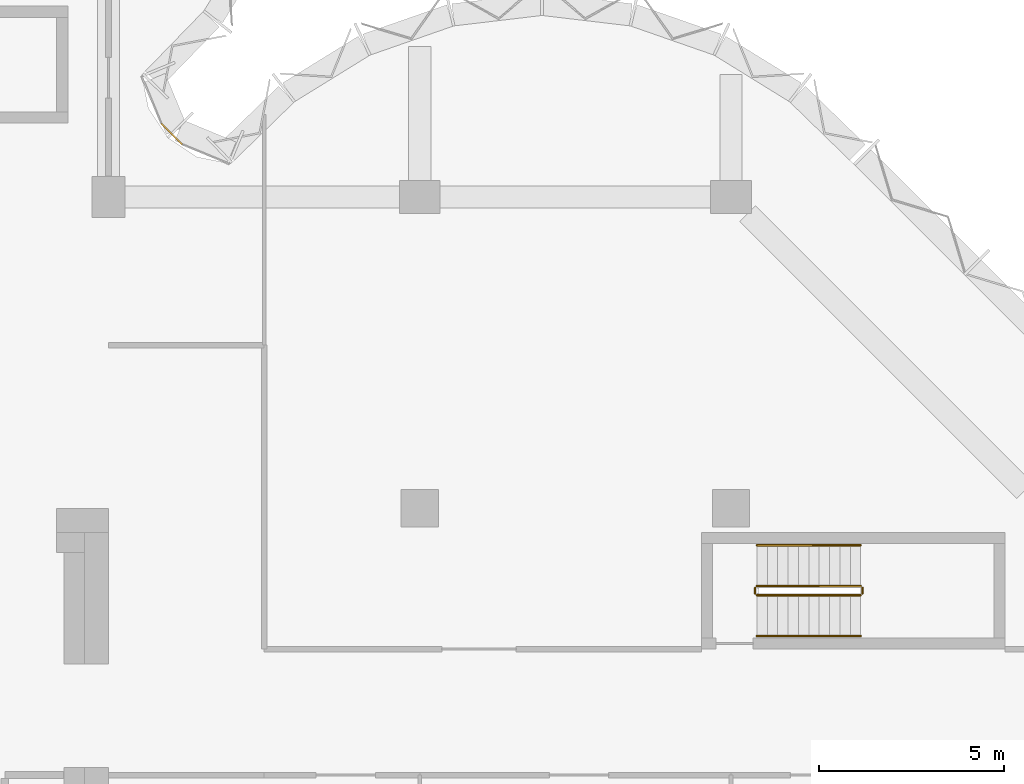
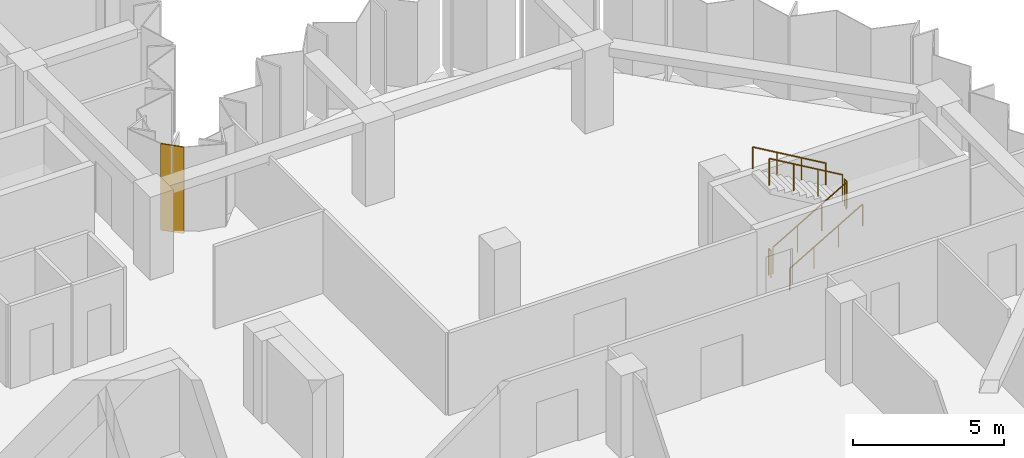
# One storey, part 9 of 9: 6 railings, 1 covering, 1 element without a shape of its own.
"""IFC4 building model written with IfcOpenShell, lengths in metres."""

import ifcopenshell
import ifcopenshell.guid

model = None  # the IFC model being written
_history = None  # IfcOwnerHistory: only IFC2X3 demands one
_inside = {}  # id of a spatial element -> (the spatial element, [elements in it])
_under = {}  # id of a project, library or spatial element -> (it, [spatial elements below it])
_declared = {}  # id of a project -> (the project, [libraries it declares])
_typed = {}  # id of a type object -> (the type object, [elements of that type])
_made_of = {}  # id of a material, layer set ... -> (it, [elements and type objects made of it])


def new_model(schema):
    """Start an empty IFC model of exactly this schema.

    Asked for "IFC4X3", IfcOpenShell would pick the latest addendum, in which some entities
    have other attributes; the version numbers below select the first issue.
    IFC2X3 requires an IfcOwnerHistory on every rooted entity: one is made here for all.
    """
    global model, _history
    if schema == "IFC4X3":
        model = ifcopenshell.file(schema_version=(4, 3, 0, 0))
    else:
        model = ifcopenshell.file(schema=schema)
    _inside.clear()
    _under.clear()
    _declared.clear()
    _typed.clear()
    _made_of.clear()
    _history = None
    if model.schema == "IFC2X3":
        org = make("IfcOrganization", Name="unknown")
        user = make(
            "IfcPersonAndOrganization",
            ThePerson=make("IfcPerson", FamilyName="unknown"),
            TheOrganization=org,
        )
        app = make(
            "IfcApplication",
            ApplicationDeveloper=org,
            Version="unknown",
            ApplicationFullName="unknown",
            ApplicationIdentifier="unknown",
        )
        _history = make(
            "IfcOwnerHistory",
            OwningUser=user,
            OwningApplication=app,
            ChangeAction="ADDED",
            CreationDate=0,
        )
    return model


def make(cls, **values):
    """One entity of the class cls with the attributes given. An attribute that is None is left unset."""
    return model.create_entity(
        cls, **{name: value for name, value in values.items() if value is not None}
    )


def rooted(cls, **values):
    """An entity with a GlobalId (a new one), such as an element, a storey or a relation."""
    return make(cls, GlobalId=ifcopenshell.guid.new(), OwnerHistory=_history, **values)


def si_unit(unit_type, name, prefix=None):
    """IfcSIUnit, for example si_unit("LENGTHUNIT", "METRE", prefix="MILLI")."""
    return make("IfcSIUnit", UnitType=unit_type, Prefix=prefix, Name=name)


def assignment(units):
    """IfcUnitAssignment: the units of a project."""
    return None if units is None else make("IfcUnitAssignment", Units=units)


def point(xyz):
    """IfcCartesianPoint."""
    return None if xyz is None else make("IfcCartesianPoint", Coordinates=xyz)


def direction(xyz):
    """IfcDirection."""
    return None if xyz is None else make("IfcDirection", DirectionRatios=xyz)


def frame(location, z_axis=None, x_axis=None):
    """IfcAxis2Placement3D, a coordinate frame: its origin and axes. An axis left out is left unset."""
    return make(
        "IfcAxis2Placement3D",
        Location=point(location),
        Axis=direction(z_axis),
        RefDirection=direction(x_axis),
    )


def frame_2d(location, x_axis=None):
    """IfcAxis2Placement2D, a coordinate frame in the plane: its origin and x axis."""
    return make(
        "IfcAxis2Placement2D", Location=point(location), RefDirection=direction(x_axis)
    )


def origin():
    """The frame at (0, 0, 0) with its axes left unset."""
    return frame((0.0, 0.0, 0.0))


def origin_2d():
    """The frame at (0, 0) in the plane with its x axis left unset."""
    return frame_2d((0.0, 0.0))


def place(relative_to, where):
    """IfcLocalPlacement: puts the frame where relative to a parent placement (None: the world)."""
    return make(
        "IfcLocalPlacement", PlacementRelTo=relative_to, RelativePlacement=where
    )


def context(
    kind, dimensions, precision=None, world=None, true_north=None, identifier=None
):
    """IfcGeometricRepresentationContext, for example the 3D "Model" context."""
    return make(
        "IfcGeometricRepresentationContext",
        ContextIdentifier=identifier,
        ContextType=kind,
        CoordinateSpaceDimension=dimensions,
        Precision=precision,
        WorldCoordinateSystem=world,
        TrueNorth=true_north,
    )


def subcontext(parent, identifier, kind, view, scale=None):
    """IfcGeometricRepresentationSubContext, for example "Body" below "Model"."""
    return make(
        "IfcGeometricRepresentationSubContext",
        ContextIdentifier=identifier,
        ContextType=kind,
        ParentContext=parent,
        TargetScale=scale,
        TargetView=view,
    )


def project(units=None, contexts=None):
    """IfcProject with its units and contexts."""
    return rooted(
        "IfcProject",
        Name="project",
        RepresentationContexts=contexts,
        UnitsInContext=assignment(units),
    )


def spatial(cls, under=None, at=None, **own):
    """A site, building, storey or space (cls), placed at a placement, below another one or the project."""
    s = rooted(cls, ObjectPlacement=at, **own)
    if under is not None:
        _under.setdefault(under.id(), (under, []))[1].append(s)
    return s


def polyline(points):
    """IfcPolyline through the points."""
    return make("IfcPolyline", Points=[point(p) for p in points])


def profile(cls, at=None, kind="AREA", **sizes):
    """A parametric profile (cls). Its sizes go by their IFC names, for example OverallWidth=200.0."""
    return make(cls, ProfileType=kind, Position=at, **sizes)


def circle(**sizes):
    """IfcCircleProfileDef."""
    return profile("IfcCircleProfileDef", **sizes)


def outline(outer, holes=None, kind="AREA"):
    """IfcArbitraryClosedProfileDef: a profile drawn as a closed curve; with holes, ...WithVoids."""
    if holes is None:
        return make("IfcArbitraryClosedProfileDef", ProfileType=kind, OuterCurve=outer)
    return make(
        "IfcArbitraryProfileDefWithVoids",
        ProfileType=kind,
        OuterCurve=outer,
        InnerCurves=holes,
    )


def extrude(swept, where, along, depth):
    """IfcExtrudedAreaSolid: the profile swept, set in the frame where, extruded along a direction by depth."""
    return make(
        "IfcExtrudedAreaSolid",
        SweptArea=swept,
        Position=where,
        ExtrudedDirection=direction(along),
        Depth=depth,
    )


def shape(context_of_items, identifier, shape_type, items):
    """IfcShapeRepresentation: the items that make up one representation, for example the "Body"."""
    return make(
        "IfcShapeRepresentation",
        ContextOfItems=context_of_items,
        RepresentationIdentifier=identifier,
        RepresentationType=shape_type,
        Items=items,
    )


def material(Name=None, Category=None):
    """IfcMaterial."""
    return make("IfcMaterial", Name=Name, Category=Category)


def layer(
    of_material, thickness, ventilated=None, Name=None, Category=None, Priority=None
):
    """IfcMaterialLayer: one layer of a wall or slab, of a material (None: an air gap)."""
    return make(
        "IfcMaterialLayer",
        Material=of_material,
        LayerThickness=thickness,
        IsVentilated=ventilated,
        Name=Name,
        Category=Category,
        Priority=Priority,
    )


def layer_set(layers, Name=None):
    """IfcMaterialLayerSet."""
    return make("IfcMaterialLayerSet", MaterialLayers=layers, LayerSetName=Name)


def made_of(thing, what):
    """Note that an element or type object is made of a material, layer set ...; save() writes the relation."""
    if what is not None:
        _made_of.setdefault(what.id(), (what, []))[1].append(thing)
    return thing


def type_object(cls, material=None, **own):
    """A type object (cls), such as IfcWallType, which elements share."""
    return made_of(rooted(cls, **own), material)


def element(
    cls,
    number,
    at=None,
    inside=None,
    cuts=None,
    type_object=None,
    material=None,
    context=None,
    identifier="Body",
    shape_type=None,
    held_by="IfcProductDefinitionShape",
    body=None,
    shapes=None,
    **own,
):
    """One element of the class cls, such as IfcWall. Its Tag is "e" and its number.

    at: its placement. inside: the storey or other place that contains it. cuts: it is an
    opening in that element (IfcRelVoidsElement). A single representation is given by context,
    identifier, shape_type and body (its items); several are given by shapes. held_by: the class
    of the entity that holds the representations. save() writes the other relations.
    """
    e = rooted(cls, Tag="e%d" % number, ObjectPlacement=at, **own)
    if body is not None:
        shapes = [shape(context, identifier, shape_type, body)]
    if shapes is not None:
        e.Representation = make(held_by, Representations=shapes)
    if inside is not None:
        _inside.setdefault(inside.id(), (inside, []))[1].append(e)
    if cuts is not None:
        rooted(
            "IfcRelVoidsElement", RelatingBuildingElement=cuts, RelatedOpeningElement=e
        )
    if type_object is not None:
        _typed.setdefault(type_object.id(), (type_object, []))[1].append(e)
    return made_of(e, material)


def aggregate(whole, parts):
    """IfcRelAggregates: a whole, such as a stair, and the parts it consists of."""
    return rooted("IfcRelAggregates", RelatingObject=whole, RelatedObjects=parts)


def save(model, path):
    """Write the relations noted so far, then the file.

    IfcRelAggregates (storeys below a building ...), IfcRelContainedInSpatialStructure (elements
    in a storey), IfcRelDefinesByType, IfcRelAssociatesMaterial and IfcRelDeclares: one each for
    every whole, place, type object, material and project.
    """
    for whole, parts in _under.values():
        aggregate(whole, parts)
    for where, things in _inside.values():
        rooted(
            "IfcRelContainedInSpatialStructure",
            RelatedElements=things,
            RelatingStructure=where,
        )
    for kind, things in _typed.values():
        rooted("IfcRelDefinesByType", RelatedObjects=things, RelatingType=kind)
    for what, things in _made_of.values():
        rooted("IfcRelAssociatesMaterial", RelatedObjects=things, RelatingMaterial=what)
    for by, libraries in _declared.values():
        rooted("IfcRelDeclares", RelatingContext=by, RelatedDefinitions=libraries)
    model.write(path)


model = new_model("IFC4")

# Units and contexts
model_context = context("Model", 3, precision=1e-05, world=origin(), true_north=direction((0.0, 1.0)))
body_context = subcontext(model_context, "Body", "Model", "MODEL_VIEW")
ifc_project = project(units=[si_unit("LENGTHUNIT", "METRE"), si_unit("AREAUNIT", "SQUARE_METRE"), si_unit("VOLUMEUNIT", "CUBIC_METRE"), si_unit("PLANEANGLEUNIT", "RADIAN"), si_unit("MASSUNIT", "GRAM", prefix="KILO")], contexts=[model_context])

# Site, building, storey
site_placement = place(None, origin())
site = spatial("IfcSite", under=ifc_project, at=site_placement, CompositionType="ELEMENT")
building_placement = place(site_placement, origin())
building = spatial("IfcBuilding", under=site, at=building_placement, Name="Brevane Broadcast Tower", CompositionType="ELEMENT")
storey_placement = place(building_placement, frame((0.0, 0.0, 192.0)))
storey = spatial("IfcBuildingStorey", under=building, at=storey_placement, Name="L48", CompositionType="ELEMENT", Elevation=192.0)

# Railings
ifc_material_1 = material(Name="Steel S355", Category="steel")
railing_type_1 = type_object("IfcRailingType", Name="Exit stair guard", PredefinedType="GUARDRAIL", material=ifc_material_1)
railing_1_placement = place(storey_placement, frame((42.699951171875, 14.449951171875, 0.16357421875)))
element("IfcRailing", 1, at=railing_1_placement, inside=storey, type_object=railing_type_1, Name="L48 ST-4 stair guard 1", PredefinedType="GUARDRAIL", context=body_context, shape_type="SweptSolid", body=[
    extrude(circle(Radius=0.02392578125, at=origin_2d()), frame((0.0, 0.0, 1.076171875), z_axis=(0.863360870873, 0.0, 0.504586966384), x_axis=(0.0, 1.0, 0.0)), (0.0, 0.0, 1.0), 3.2431640625),
    extrude(circle(Radius=0.02099609375, at=origin_2d()), origin(), (0.0, 0.0, 1.0), 1.052001953125),
    extrude(circle(Radius=0.02099609375, at=origin_2d()), frame((0.933349609375, 0.0, 0.54541015625)), (0.0, 0.0, 1.0), 1.052001953125),
    extrude(circle(Radius=0.02099609375, at=origin_2d()), frame((1.86669921875, 0.0, 1.091064453125)), (0.0, 0.0, 1.0), 1.052001953125),
    extrude(circle(Radius=0.02099609375, at=origin_2d()), frame((2.800048828125, 0.0, 1.636474609375)), (0.0, 0.0, 1.0), 1.052001953125),
])
railing_2_placement = place(storey_placement, frame((45.550048828125, 14.5, 1.800048828125)))
element("IfcRailing", 2, at=railing_2_placement, inside=storey, type_object=railing_type_1, Name="L48 ST-4 stair guard 2", PredefinedType="GUARDRAIL", context=body_context, shape_type="SweptSolid", body=[
    extrude(circle(Radius=0.02392578125, at=origin_2d()), frame((0.0, 0.0, 1.076171875), z_axis=(0.0, 1.0, 0.0), x_axis=(-1.0, 0.0, 0.0)), (0.0, 0.0, 1.0), 0.14990234375),
    extrude(circle(Radius=0.02099609375, at=origin_2d()), origin(), (0.0, 0.0, 1.0), 1.052001953125),
    extrude(circle(Radius=0.02099609375, at=origin_2d()), frame((0.0, 0.14990234375, 0.0)), (0.0, 0.0, 1.0), 1.052001953125),
])
railing_3_placement = place(storey_placement, frame((45.5, 14.699951171875, 1.963623046875)))
element("IfcRailing", 3, at=railing_3_placement, inside=storey, type_object=railing_type_1, Name="L48 ST-4 stair guard 3", PredefinedType="GUARDRAIL", context=body_context, shape_type="SweptSolid", body=[
    extrude(circle(Radius=0.02392578125, at=origin_2d()), frame((0.0, 0.0, 1.076171875), z_axis=(-0.863360870873, 0.0, 0.504586966384), x_axis=(0.0, -1.0, 0.0)), (0.0, 0.0, 1.0), 3.2431640625),
    extrude(circle(Radius=0.02099609375, at=origin_2d()), origin(), (0.0, 0.0, 1.0), 1.052001953125),
    extrude(circle(Radius=0.02099609375, at=origin_2d()), frame((-0.933349609375, 0.0, 0.54541015625)), (0.0, 0.0, 1.0), 1.052001953125),
    extrude(circle(Radius=0.02099609375, at=origin_2d()), frame((-1.86669921875, 0.0, 1.091064453125)), (0.0, 0.0, 1.0), 1.052001953125),
    extrude(circle(Radius=0.02099609375, at=origin_2d()), frame((-2.800048828125, 0.0, 1.636474609375)), (0.0, 0.0, 1.0), 1.052001953125),
])
railing_4_placement = place(storey_placement, frame((42.64990234375, 14.5, 0.0)))
element("IfcRailing", 4, at=railing_4_placement, inside=storey, type_object=railing_type_1, Name="L48 ST-4 stair guard 4", PredefinedType="GUARDRAIL", context=body_context, shape_type="SweptSolid", body=[
    extrude(circle(Radius=0.02392578125, at=origin_2d()), frame((0.0, 0.0, 1.076171875), z_axis=(0.0, 1.0, 0.0), x_axis=(-1.0, 0.0, 0.0)), (0.0, 0.0, 1.0), 0.14990234375),
    extrude(circle(Radius=0.02099609375, at=origin_2d()), origin(), (0.0, 0.0, 1.0), 1.052001953125),
    extrude(circle(Radius=0.02099609375, at=origin_2d()), frame((0.0, 0.14990234375, 0.0)), (0.0, 0.0, 1.0), 1.052001953125),
])
railing_type_2 = type_object("IfcRailingType", Name="Exit stair handrail", PredefinedType="HANDRAIL", material=ifc_material_1)
railing_5_placement = place(storey_placement, frame((42.699951171875, 13.35009765625, 0.16357421875)))
element("IfcRailing", 5, at=railing_5_placement, inside=storey, type_object=railing_type_2, Name="L48 ST-4 stair handrail 1", PredefinedType="HANDRAIL", context=body_context, shape_type="SweptSolid", body=[
    extrude(circle(Radius=0.02392578125, at=origin_2d()), frame((0.0, 0.0, 0.8759765625), z_axis=(0.863360870873, 0.0, 0.504586966384), x_axis=(0.0, 1.0, 0.0)), (0.0, 0.0, 1.0), 3.2431640625),
    extrude(circle(Radius=0.02099609375, at=origin_2d()), origin(), (0.0, 0.0, 1.0), 0.851806640625),
    extrude(circle(Radius=0.02099609375, at=origin_2d()), frame((0.933349609375, 0.0, 0.54541015625)), (0.0, 0.0, 1.0), 0.851806640625),
    extrude(circle(Radius=0.02099609375, at=origin_2d()), frame((1.86669921875, 0.0, 1.091064453125)), (0.0, 0.0, 1.0), 0.851806640625),
    extrude(circle(Radius=0.02099609375, at=origin_2d()), frame((2.800048828125, 0.0, 1.636474609375)), (0.0, 0.0, 1.0), 0.851806640625),
])
railing_6_placement = place(storey_placement, frame((45.5, 15.800048828125, 1.963623046875)))
element("IfcRailing", 6, at=railing_6_placement, inside=storey, type_object=railing_type_2, Name="L48 ST-4 stair handrail 2", PredefinedType="HANDRAIL", context=body_context, shape_type="SweptSolid", body=[
    extrude(circle(Radius=0.02392578125, at=origin_2d()), frame((0.0, 0.0, 0.8759765625), z_axis=(-0.863360870873, 0.0, 0.504586966384), x_axis=(0.0, -1.0, 0.0)), (0.0, 0.0, 1.0), 3.2431640625),
    extrude(circle(Radius=0.02099609375, at=origin_2d()), origin(), (0.0, 0.0, 1.0), 0.851806640625),
    extrude(circle(Radius=0.02099609375, at=origin_2d()), frame((-0.933349609375, 0.0, 0.54541015625)), (0.0, 0.0, 1.0), 0.851806640625),
    extrude(circle(Radius=0.02099609375, at=origin_2d()), frame((-1.86669921875, 0.0, 1.091064453125)), (0.0, 0.0, 1.0), 0.851806640625),
    extrude(circle(Radius=0.02099609375, at=origin_2d()), frame((-2.800048828125, 0.0, 1.636474609375)), (0.0, 0.0, 1.0), 0.851806640625),
])

# Curtain wall, covering
ifc_material_2 = material(Name="Aluminium 6063-T6 bronze anodised", Category="aluminium")
curtain_wall_type = type_object("IfcCurtainWallType", Name="CW-1 curtain wall", PredefinedType="NOTDEFINED", material=ifc_material_2)
curtain_wall_placement = place(storey_placement, origin())
curtain_wall = element("IfcCurtainWall", 7, at=curtain_wall_placement, inside=storey, type_object=curtain_wall_type, Name="CW-1 typical tilted unit L48 inner corner", PredefinedType="NOTDEFINED")
ifc_material_3 = material(Name="Back-painted bronze glass shadow-box", Category="glass")
ifc_layer = layer(ifc_material_3, 0.0400390625)
ifc_layer_set = layer_set([ifc_layer], Name="Shadow-box panel 40")
covering_type = type_object("IfcCoveringType", Name="Shadow-box panel 40", PredefinedType="CLADDING", material=ifc_layer_set)
covering_placement = place(storey_placement, frame((0.0, 0.0, -0.14990234375)))
covering = element("IfcCovering", 8, at=covering_placement, type_object=covering_type, Name="Closure panel", PredefinedType="CLADDING", context=body_context, shape_type="SweptSolid", body=[
    extrude(outline(polyline([(27.17138671875, 26.60498046875), (27.2021484375, 26.635498046875), (26.635498046875, 27.2021484375), (26.60498046875, 27.17138671875), (27.17138671875, 26.60498046875)])), origin(), (0.0, 0.0, 1.0), 3.5),
])
aggregate(curtain_wall, [covering])

save(model, "model.ifc")
